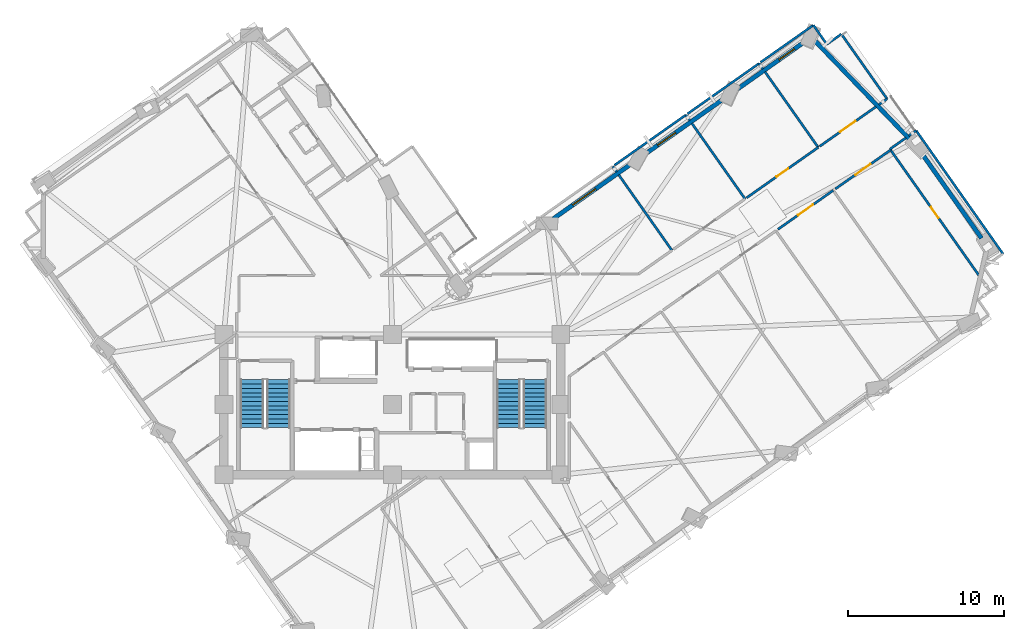
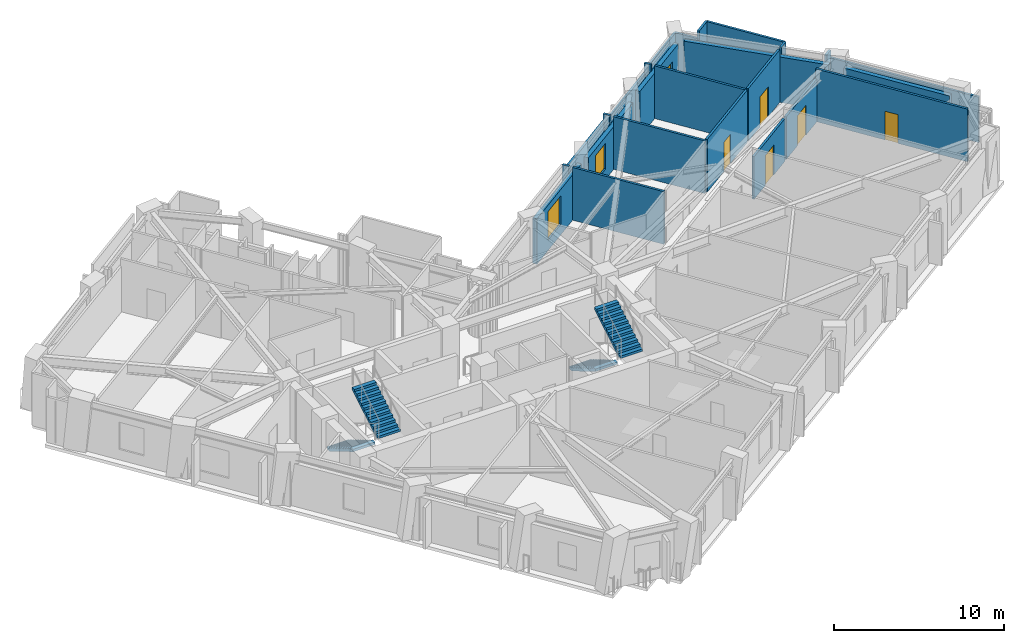
# One storey, part 8 of 13: 26 walls, 5 doors, 4 stair flights, 3 windows, 8 openings, 2 elements without a shape of their own.
"""IFC4 building model written with IfcOpenShell, lengths in metres."""

from ifc_helpers import new_model, si_unit, direction, frame, frame_2d, origin, place, context, subcontext, project, spatial, polyline, rectangle, outline, extrude, material, layer, layer_set, type_object, element, fill, aggregate, save


model = new_model("IFC4")

# Units and contexts
model_context = context("Model", 3, precision=1e-05, world=origin(), true_north=direction((0.0, 1.0)))
body_context = subcontext(model_context, "Body", "Model", "MODEL_VIEW")
ifc_project = project(units=[si_unit("LENGTHUNIT", "METRE"), si_unit("AREAUNIT", "SQUARE_METRE"), si_unit("VOLUMEUNIT", "CUBIC_METRE"), si_unit("PLANEANGLEUNIT", "RADIAN"), si_unit("MASSUNIT", "GRAM", prefix="KILO")], contexts=[model_context])

# Site, building, storey
site_placement = place(None, origin())
site = spatial("IfcSite", under=ifc_project, at=site_placement, CompositionType="ELEMENT")
building_placement = place(site_placement, origin())
building = spatial("IfcBuilding", under=site, at=building_placement, Name="Gaonmaruhae Medical Tower", CompositionType="ELEMENT")
storey_placement = place(building_placement, frame((0.0, 0.0, 173.800048828125)))
storey = spatial("IfcBuildingStorey", under=building, at=storey_placement, Name="L41", CompositionType="ELEMENT", Elevation=173.800048828125)

# Walls
ifc_material_1 = material(Name="Precast concrete C45/55", Category="concrete")
ifc_layer_1 = layer(ifc_material_1, 0.280029296875)
ifc_layer_set_1 = layer_set([ifc_layer_1], Name="Precast concrete C45/55")
wall_type_1 = type_object("IfcWallType", Name="EW-280 Upper Precast Masonry-Frame Facade Wall", PredefinedType="SOLIDWALL", material=ifc_layer_set_1)
wall_1_placement = place(storey_placement, frame((58.65380859375, 28.560302734375, 0.0), z_axis=(0.0, 0.0, 1.0), x_axis=(0.575721488914, -0.817645869067, 0.0)))
element("IfcWall", 1, at=wall_1_placement, inside=storey, type_object=wall_type_1, Name="L41 Precast Masonry-Frame Wall E01-E02", PredefinedType="SOLIDWALL", context=body_context, shape_type="SweptSolid", body=[
    extrude(rectangle(XDim=6.840087890625, YDim=0.280029296875, at=frame_2d((3.419921875, 0.0))), origin(), (0.0, 0.0, 1.0), 3.264892578125),
])
wall_2_placement = place(storey_placement, frame((51.89453125, 35.639892578125, 0.0), z_axis=(0.0, 0.0, 1.0), x_axis=(0.693919284299, -0.720052794508, 0.0)))
element("IfcWall", 2, at=wall_2_placement, inside=storey, type_object=wall_type_1, Name="L41 Precast Masonry-Frame Wall E02-E03", PredefinedType="SOLIDWALL", context=body_context, shape_type="SweptSolid", body=[
    extrude(rectangle(XDim=8.837646484375, YDim=0.280029296875, at=frame_2d((4.4189453125, 0.0))), origin(), (0.0, 0.0, 1.0), 3.264892578125),
])

# Wall, opening, window
wall_3_placement = place(storey_placement, frame((46.8798828125, 32.49951171875, 0.0), z_axis=(0.0, 0.0, 1.0), x_axis=(0.817637087574, 0.575733960283, 0.0)))
wall_3 = element("IfcWall", 3, at=wall_3_placement, inside=storey, type_object=wall_type_1, Name="L41 Precast Masonry-Frame Wall E03-EN01", PredefinedType="SOLIDWALL", context=body_context, shape_type="SweptSolid", body=[
    extrude(rectangle(XDim=5.404541015625, YDim=0.280029296875, at=frame_2d((2.7021484375, 0.0))), origin(), (0.0, 0.0, 1.0), 3.264892578125),
])
opening_1_placement = place(wall_3_placement, frame((3.333740234375, 0.0, 0.75)))
opening_1 = element("IfcOpeningElement", 4, at=opening_1_placement, cuts=wall_3, Name="Opening WN-05", PredefinedType="OPENING", context=body_context, shape_type="SweptSolid", body=[
    extrude(rectangle(XDim=1.199951171875, YDim=1.75, at=frame_2d((0.60009765625, 0.875))), frame((0.0, 0.14990234375, 0.0), z_axis=(0.0, -1.0, 0.0), x_axis=(1.0, 0.0, 0.0)), (0.0, 0.0, 1.0), 0.300048828125),
])
ifc_material_2 = material(Name="Anodised aluminium and Low-E double glazing", Category="aluminium")
window_type_1 = type_object("IfcWindowType", Name="WN-05 Support & Staff Punched Window 1200x1750", PartitioningType="SINGLE_PANEL", PredefinedType="WINDOW", material=ifc_material_2)
window_1_placement = place(opening_1_placement, origin())
window_1 = element("IfcWindow", 5, at=window_1_placement, inside=storey, type_object=window_type_1, Name="L41 Modular Facade Window E03", OverallHeight=1.75, OverallWidth=1.199951171875, PartitioningType="SINGLE_PANEL", PredefinedType="WINDOW", context=body_context, shape_type="SweptSolid", body=[
    extrude(rectangle(XDim=1.199951171875, YDim=1.75, at=frame_2d((0.60009765625, 0.875))), frame((0.0, 0.030029296875, 0.0), z_axis=(0.0, -1.0, 0.0), x_axis=(1.0, 0.0, 0.0)), (0.0, 0.0, 1.0), 0.06005859375),
])
fill(opening_1, window_1)

wall_4_placement = place(storey_placement, frame((41.00244140625, 28.361083984375, 0.0), z_axis=(0.0, 0.0, 1.0), x_axis=(0.817646454024, 0.575720658151, 0.0)))
wall_4 = element("IfcWall", 6, at=wall_4_placement, inside=storey, type_object=wall_type_1, Name="L41 Precast Masonry-Frame Wall EN01-EN02", PredefinedType="SOLIDWALL", context=body_context, shape_type="SweptSolid", body=[
    extrude(rectangle(XDim=6.2265625, YDim=0.280029296875, at=frame_2d((3.11328125, 0.0))), origin(), (0.0, 0.0, 1.0), 3.06494140625),
])
opening_2_placement = place(wall_4_placement, frame((0.995849609375, 0.0, 0.75)))
opening_2 = element("IfcOpeningElement", 7, at=opening_2_placement, cuts=wall_4, Name="Opening WN-03", PredefinedType="OPENING", context=body_context, shape_type="SweptSolid", body=[
    extrude(rectangle(XDim=1.39990234375, YDim=1.85009765625, at=frame_2d((0.699951171875, 0.925048828125))), frame((0.0, 0.14990234375, 0.0), z_axis=(0.0, -1.0, 0.0), x_axis=(1.0, 0.0, 0.0)), (0.0, 0.0, 1.0), 0.300048828125),
])
window_type_2 = type_object("IfcWindowType", Name="WN-03 Isolation Ward Punched Window 1400x1850", PartitioningType="SINGLE_PANEL", PredefinedType="WINDOW", material=ifc_material_2)
window_2_placement = place(opening_2_placement, origin())
window_2 = element("IfcWindow", 8, at=window_2_placement, inside=storey, type_object=window_type_2, Name="L41 Modular Facade Window EN01", OverallHeight=1.85009765625, OverallWidth=1.39990234375, PartitioningType="SINGLE_PANEL", PredefinedType="WINDOW", context=body_context, shape_type="SweptSolid", body=[
    extrude(rectangle(XDim=1.39990234375, YDim=1.85009765625, at=frame_2d((0.699951171875, 0.925048828125))), frame((0.0, 0.030029296875, 0.0), z_axis=(0.0, -1.0, 0.0), x_axis=(1.0, 0.0, 0.0)), (0.0, 0.0, 1.0), 0.06005859375),
])
fill(opening_2, window_2)

wall_5_placement = place(storey_placement, frame((35.119140625, 24.218505859375, 0.0), z_axis=(0.0, 0.0, 1.0), x_axis=(0.817635088969, 0.575736798622, 0.0)))
wall_5 = element("IfcWall", 9, at=wall_5_placement, inside=storey, type_object=wall_type_1, Name="L41 Precast Masonry-Frame Wall EN02-EN03", PredefinedType="SOLIDWALL", context=body_context, shape_type="SweptSolid", body=[
    extrude(rectangle(XDim=6.2109375, YDim=0.280029296875, at=frame_2d((3.10546875, 0.0))), origin(), (0.0, 0.0, 1.0), 3.264892578125),
])
opening_3_placement = place(wall_5_placement, frame((1.523681640625, 0.0, 0.75)))
opening_3 = element("IfcOpeningElement", 10, at=opening_3_placement, cuts=wall_5, Name="Opening WN-04", PredefinedType="OPENING", context=body_context, shape_type="SweptSolid", body=[
    extrude(rectangle(XDim=1.800048828125, YDim=2.050048828125, at=frame_2d((0.89990234375, 1.02490234375))), frame((0.0, 0.14990234375, 0.0), z_axis=(0.0, -1.0, 0.0), x_axis=(1.0, 0.0, 0.0)), (0.0, 0.0, 1.0), 0.300048828125),
])
window_type_3 = type_object("IfcWindowType", Name="WN-04 Clinic & Consult Punched Window 1800x2050", PartitioningType="SINGLE_PANEL", PredefinedType="WINDOW", material=ifc_material_2)
window_3_placement = place(opening_3_placement, origin())
window_3 = element("IfcWindow", 11, at=window_3_placement, inside=storey, type_object=window_type_3, Name="L41 Modular Facade Window EN02", OverallHeight=2.050048828125, OverallWidth=1.800048828125, PartitioningType="SINGLE_PANEL", PredefinedType="WINDOW", context=body_context, shape_type="SweptSolid", body=[
    extrude(rectangle(XDim=1.800048828125, YDim=2.050048828125, at=frame_2d((0.89990234375, 1.02490234375))), frame((0.0, 0.030029296875, 0.0), z_axis=(0.0, -1.0, 0.0), x_axis=(1.0, 0.0, 0.0)), (0.0, 0.0, 1.0), 0.06005859375),
])
fill(opening_3, window_3)

# Wall, opening, door
ifc_material_3 = material(Name="Gypsum board partition", Category="gypsum")
ifc_layer_2 = layer(ifc_material_3, 0.14990234375)
ifc_layer_set_2 = layer_set([ifc_layer_2], Name="Gypsum board partition")
wall_type_2 = type_object("IfcWallType", Name="PW-150 Rated Clinical Corridor Partition", PredefinedType="PARTITIONING", material=ifc_layer_set_2)
wall_6_placement = place(storey_placement, frame((49.529052734375, 23.541015625, 0.0), z_axis=(0.0, 0.0, 1.0), x_axis=(0.81762204879, 0.575755317241, 0.0)))
wall_6 = element("IfcWall", 12, at=wall_6_placement, inside=storey, type_object=wall_type_2, Name="L41 Interior Partition L41-SUP10-29", PredefinedType="PARTITIONING", context=body_context, shape_type="SweptSolid", body=[
    extrude(rectangle(XDim=4.34033203125, YDim=0.14990234375, at=frame_2d((2.170166015625, 0.0))), origin(), (0.0, 0.0, 1.0), 3.06494140625),
])
opening_4_placement = place(wall_6_placement, frame((1.5703125, 0.0, 0.0)))
opening_4 = element("IfcOpeningElement", 13, at=opening_4_placement, cuts=wall_6, Name="Opening CD-02", PredefinedType="OPENING", context=body_context, shape_type="SweptSolid", body=[
    extrude(rectangle(XDim=1.199951171875, YDim=2.14990234375, at=frame_2d((0.60009765625, 1.074951171875))), frame((0.0, 0.0849609375, 0.0), z_axis=(0.0, -1.0, 0.0), x_axis=(1.0, 0.0, 0.0)), (0.0, 0.0, 1.0), 0.169921875),
])
ifc_material_4 = material(Name="Antimicrobial laminate timber fire door", Category="wood")
door_type_1 = type_object("IfcDoorType", Name="CD-02 Clinical Treatment & Procedure Door 1200x2150", OperationType="NOTDEFINED", PredefinedType="DOOR", material=ifc_material_4)
door_1_placement = place(opening_4_placement, origin())
door_1 = element("IfcDoor", 14, at=door_1_placement, inside=storey, type_object=door_type_1, Name="L41 Clinical Biomedical Charting Office Door", OperationType="SINGLE_SWING_RIGHT", OverallHeight=2.14990234375, OverallWidth=1.199951171875, PredefinedType="DOOR", context=body_context, shape_type="SweptSolid", body=[
    extrude(rectangle(XDim=1.199951171875, YDim=2.14990234375, at=frame_2d((0.60009765625, 1.074951171875))), frame((0.0, 0.02490234375, 0.0), z_axis=(0.0, -1.0, 0.0), x_axis=(1.0, 0.0, 0.0)), (0.0, 0.0, 1.0), 0.050048828125),
])
fill(opening_4, door_1)

wall_7_placement = place(storey_placement, frame((53.208984375, 26.132080078125, 0.0), z_axis=(0.0, 0.0, 1.0), x_axis=(0.817566099481, 0.575834761872, 0.0)))
wall_7 = element("IfcWall", 15, at=wall_7_placement, inside=storey, type_object=wall_type_2, Name="L41 Interior Partition L41-SUP11-32", PredefinedType="PARTITIONING", context=body_context, shape_type="SweptSolid", body=[
    extrude(rectangle(XDim=4.33984375, YDim=0.14990234375, at=frame_2d((2.169921875, 0.0))), origin(), (0.0, 0.0, 1.0), 3.06494140625),
])
opening_5_placement = place(wall_7_placement, frame((1.56982421875, 0.0, 0.0)))
opening_5 = element("IfcOpeningElement", 16, at=opening_5_placement, cuts=wall_7, Name="Opening CD-02", PredefinedType="OPENING", context=body_context, shape_type="SweptSolid", body=[
    extrude(rectangle(XDim=1.199951171875, YDim=2.14990234375, at=frame_2d((0.60009765625, 1.074951171875))), frame((0.0, 0.0849609375, 0.0), z_axis=(0.0, -1.0, 0.0), x_axis=(1.0, 0.0, 0.0)), (0.0, 0.0, 1.0), 0.169921875),
])
door_2_placement = place(opening_5_placement, origin())
door_2 = element("IfcDoor", 17, at=door_2_placement, inside=storey, type_object=door_type_1, Name="L41 Clinical Biomedical Charting Office Door", OperationType="SINGLE_SWING_RIGHT", OverallHeight=2.14990234375, OverallWidth=1.199951171875, PredefinedType="DOOR", context=body_context, shape_type="SweptSolid", body=[
    extrude(rectangle(XDim=1.199951171875, YDim=2.14990234375, at=frame_2d((0.60009765625, 1.074951171875))), frame((0.0, 0.02490234375, 0.0), z_axis=(0.0, -1.0, 0.0), x_axis=(1.0, 0.0, 0.0)), (0.0, 0.0, 1.0), 0.050048828125),
])
fill(opening_5, door_2)

wall_8_placement = place(storey_placement, frame((56.757080078125, 28.631103515625, 0.0), z_axis=(0.0, 0.0, 1.0), x_axis=(0.575730217861, -0.817639722764, 0.0)))
wall_8 = element("IfcWall", 18, at=wall_8_placement, inside=storey, type_object=wall_type_2, Name="L41 Interior Partition L41-SUP11-33", PredefinedType="PARTITIONING", context=body_context, shape_type="SweptSolid", body=[
    extrude(rectangle(XDim=9.830810546875, YDim=0.14990234375, at=frame_2d((4.91552734375, 0.0))), origin(), (0.0, 0.0, 1.0), 3.780029296875),
])
opening_6_placement = place(wall_8_placement, frame((4.4853515625, 0.0, 0.0)))
opening_6 = element("IfcOpeningElement", 19, at=opening_6_placement, cuts=wall_8, Name="Opening AD-01", PredefinedType="OPENING", context=body_context, shape_type="SweptSolid", body=[
    extrude(rectangle(XDim=0.860107421875, YDim=2.06005859375, at=frame_2d((0.43017578125, 1.030029296875))), frame((0.0, 0.0849609375, 0.0), z_axis=(0.0, -1.0, 0.0), x_axis=(1.0, 0.0, 0.0)), (0.0, 0.0, 1.0), 0.169921875),
])
ifc_material_5 = material(Name="Powder-coated steel access door", Category="steel")
door_type_2 = type_object("IfcDoorType", Name="AD-01 Riser & Closet Access Fire Door 860x2060", OperationType="NOTDEFINED", PredefinedType="DOOR", material=ifc_material_5)
door_3_placement = place(opening_6_placement, origin())
door_3 = element("IfcDoor", 20, at=door_3_placement, inside=storey, type_object=door_type_2, Name="L41 Clinical Case Review Office Sliding Door", OperationType="SLIDING_TO_LEFT", OverallHeight=2.06005859375, OverallWidth=0.860107421875, PredefinedType="DOOR", context=body_context, shape_type="SweptSolid", body=[
    extrude(rectangle(XDim=0.860107421875, YDim=2.06005859375, at=frame_2d((0.43017578125, 1.030029296875))), frame((0.0, 0.02490234375, 0.0), z_axis=(0.0, -1.0, 0.0), x_axis=(1.0, 0.0, 0.0)), (0.0, 0.0, 1.0), 0.050048828125),
])
fill(opening_6, door_3)

# Walls
wall_9_placement = place(storey_placement, frame((38.93798828125, 27.580078125, 0.0), z_axis=(0.0, 0.0, 1.0), x_axis=(0.574742398175, -0.818334391151, 0.0)))
element("IfcWall", 21, at=wall_9_placement, inside=storey, type_object=wall_type_2, Name="L41 Interior Partition L41-IE03-78", PredefinedType="PARTITIONING", context=body_context, shape_type="SweptSolid", body=[
    extrude(rectangle(XDim=0.43505859375, YDim=0.14990234375, at=frame_2d((0.217529296875, 0.0))), origin(), (0.0, 0.0, 1.0), 3.780029296875),
])
wall_10_placement = place(storey_placement, frame((39.321044921875, 27.035888671875, 0.0), z_axis=(0.0, 0.0, 1.0), x_axis=(0.575736327122, -0.817635420974, 0.0)))
element("IfcWall", 22, at=wall_10_placement, inside=storey, type_object=wall_type_2, Name="L41 Interior Partition L41-IE03-79", PredefinedType="PARTITIONING", context=body_context, shape_type="SweptSolid", body=[
    extrude(rectangle(XDim=5.92431640625, YDim=0.14990234375, at=frame_2d((2.962158203125, 0.0))), origin(), (0.0, 0.0, 1.0), 3.780029296875),
])
wall_11_placement = place(storey_placement, frame((39.035888671875, 27.64892578125, 0.0), z_axis=(0.0, 0.0, 1.0), x_axis=(0.817638200952, 0.5757323791, 0.0)))
element("IfcWall", 23, at=wall_11_placement, inside=storey, type_object=wall_type_2, Name="L41 Interior Partition L41-IE04-83", PredefinedType="PARTITIONING", context=body_context, shape_type="SweptSolid", body=[
    extrude(rectangle(XDim=5.617431640625, YDim=0.14990234375, at=frame_2d((2.80859375, 0.0))), origin(), (0.0, 0.0, 1.0), 3.264892578125),
])
wall_12_placement = place(storey_placement, frame((43.62890625, 30.883056640625, 0.0), z_axis=(0.0, 0.0, 1.0), x_axis=(0.574742398175, -0.818334391151, 0.0)))
element("IfcWall", 24, at=wall_12_placement, inside=storey, type_object=wall_type_2, Name="L41 Interior Partition L41-IE04-84", PredefinedType="PARTITIONING", context=body_context, shape_type="SweptSolid", body=[
    extrude(rectangle(XDim=0.43505859375, YDim=0.14990234375, at=frame_2d((0.217529296875, 0.0))), origin(), (0.0, 0.0, 1.0), 3.780029296875),
])
wall_13_placement = place(storey_placement, frame((44.011962890625, 30.339111328125, 0.0), z_axis=(0.0, 0.0, 1.0), x_axis=(0.575763875757, -0.817616021965, 0.0)))
element("IfcWall", 25, at=wall_13_placement, inside=storey, type_object=wall_type_2, Name="L41 Interior Partition L41-IE04-85", PredefinedType="PARTITIONING", context=body_context, shape_type="SweptSolid", body=[
    extrude(rectangle(XDim=5.924560546875, YDim=0.14990234375, at=frame_2d((2.96240234375, 0.0))), origin(), (0.0, 0.0, 1.0), 3.780029296875),
])

# Wall, opening, door
wall_14_placement = place(storey_placement, frame((52.114013671875, 28.798095703125, 0.0), z_axis=(0.0, 0.0, 1.0), x_axis=(-0.817638200952, -0.5757323791, 0.0)))
wall_14 = element("IfcWall", 26, at=wall_14_placement, inside=storey, type_object=wall_type_2, Name="L41 Interior Partition L41-IE05-86", PredefinedType="PARTITIONING", context=body_context, shape_type="SweptSolid", body=[
    extrude(rectangle(XDim=5.617431640625, YDim=0.14990234375, at=frame_2d((2.80859375, 0.0))), origin(), (0.0, 0.0, 1.0), 3.780029296875),
])
opening_7_placement = place(wall_14_placement, frame((2.3486328125, 0.0, 0.0)))
opening_7 = element("IfcOpeningElement", 27, at=opening_7_placement, cuts=wall_14, Name="Opening UD-01", PredefinedType="OPENING", context=body_context, shape_type="SweptSolid", body=[
    extrude(rectangle(XDim=0.919921875, YDim=2.10009765625, at=frame_2d((0.4599609375, 1.050048828125))), frame((0.0, 0.0849609375, 0.0), z_axis=(0.0, -1.0, 0.0), x_axis=(1.0, 0.0, 0.0)), (0.0, 0.0, 1.0), 0.169921875),
])
ifc_material_6 = material(Name="Powder-coated steel utility door", Category="steel")
door_type_3 = type_object("IfcDoorType", Name="UD-01 Toilet, Utility & Housekeeping Door 920x2100", OperationType="NOTDEFINED", PredefinedType="DOOR", material=ifc_material_6)
door_4_placement = place(opening_7_placement, origin())
door_4 = element("IfcDoor", 28, at=door_4_placement, inside=storey, type_object=door_type_3, Name="L41 Ward Housekeeping and Linen Store Door", OperationType="SINGLE_SWING_LEFT", OverallHeight=2.10009765625, OverallWidth=0.919921875, PredefinedType="DOOR", context=body_context, shape_type="SweptSolid", body=[
    extrude(rectangle(XDim=0.919921875, YDim=2.10009765625, at=frame_2d((0.4599609375, 1.050048828125))), frame((0.0, 0.02490234375, 0.0), z_axis=(0.0, -1.0, 0.0), x_axis=(1.0, 0.0, 0.0)), (0.0, 0.0, 1.0), 0.050048828125),
])
fill(opening_7, door_4)

# Walls
wall_15_placement = place(storey_placement, frame((43.72705078125, 30.951904296875, 0.0), z_axis=(0.0, 0.0, 1.0), x_axis=(0.817638200952, 0.5757323791, 0.0)))
element("IfcWall", 29, at=wall_15_placement, inside=storey, type_object=wall_type_2, Name="L41 Interior Partition L41-IE05-87", PredefinedType="PARTITIONING", context=body_context, shape_type="SweptSolid", body=[
    extrude(rectangle(XDim=5.617431640625, YDim=0.14990234375, at=frame_2d((2.80859375, 0.0))), origin(), (0.0, 0.0, 1.0), 3.06494140625),
])
wall_16_placement = place(storey_placement, frame((48.320068359375, 34.18603515625, 0.0), z_axis=(0.0, 0.0, 1.0), x_axis=(0.574742398175, -0.818334391151, 0.0)))
element("IfcWall", 30, at=wall_16_placement, inside=storey, type_object=wall_type_2, Name="L41 Interior Partition L41-IE05-88", PredefinedType="PARTITIONING", context=body_context, shape_type="SweptSolid", body=[
    extrude(rectangle(XDim=0.43505859375, YDim=0.14990234375, at=frame_2d((0.217529296875, 0.0))), origin(), (0.0, 0.0, 1.0), 3.780029296875),
])
wall_17_placement = place(storey_placement, frame((48.702880859375, 33.64208984375, 0.0), z_axis=(0.0, 0.0, 1.0), x_axis=(0.575763875757, -0.817616021965, 0.0)))
element("IfcWall", 31, at=wall_17_placement, inside=storey, type_object=wall_type_2, Name="L41 Interior Partition L41-IE05-89", PredefinedType="PARTITIONING", context=body_context, shape_type="SweptSolid", body=[
    extrude(rectangle(XDim=5.924560546875, YDim=0.14990234375, at=frame_2d((2.96240234375, 0.0))), origin(), (0.0, 0.0, 1.0), 3.780029296875),
])
wall_18_placement = place(storey_placement, frame((52.6669921875, 35.4130859375, 0.0), z_axis=(0.0, 0.0, 1.0), x_axis=(0.817780283256, 0.575530545078, 0.0)))
element("IfcWall", 32, at=wall_18_placement, inside=storey, type_object=wall_type_2, Name="L41 Interior Partition L41-IE06-90", PredefinedType="PARTITIONING", context=body_context, shape_type="SweptSolid", body=[
    extrude(rectangle(XDim=1.139892578125, YDim=0.14990234375, at=frame_2d((0.56982421875, 0.0))), origin(), (0.0, 0.0, 1.0), 3.780029296875),
])
wall_19_placement = place(storey_placement, frame((53.59912109375, 36.069091796875, 0.0), z_axis=(0.0, 0.0, 1.0), x_axis=(0.575758299288, -0.817619948877, 0.0)))
element("IfcWall", 33, at=wall_19_placement, inside=storey, type_object=wall_type_2, Name="L41 Interior Partition L41-IE06-91", PredefinedType="PARTITIONING", context=body_context, shape_type="SweptSolid", body=[
    extrude(rectangle(XDim=5.090576171875, YDim=0.14990234375, at=frame_2d((2.54541015625, 0.0))), origin(), (0.0, 0.0, 1.0), 3.780029296875),
])
wall_20_placement = place(storey_placement, frame((56.530029296875, 31.906982421875, 0.0), z_axis=(0.0, 0.0, 1.0), x_axis=(-0.817866315649, -0.575408280898, 0.0)))
element("IfcWall", 34, at=wall_20_placement, inside=storey, type_object=wall_type_2, Name="L41 Interior Partition L41-IE06-92", PredefinedType="PARTITIONING", context=body_context, shape_type="SweptSolid", body=[
    extrude(rectangle(XDim=0.639404296875, YDim=0.14990234375, at=frame_2d((0.31982421875, 0.0))), origin(), (0.0, 0.0, 1.0), 3.780029296875),
])

# Wall, opening, door
wall_21_placement = place(storey_placement, frame((55.81591796875, 31.405029296875, 0.0), z_axis=(0.0, 0.0, 1.0), x_axis=(-0.817599763691, -0.575786962697, 0.0)))
wall_21 = element("IfcWall", 35, at=wall_21_placement, inside=storey, type_object=wall_type_2, Name="L41 Interior Partition L41-IE06-93", PredefinedType="PARTITIONING", context=body_context, shape_type="SweptSolid", body=[
    extrude(rectangle(XDim=4.407958984375, YDim=0.14990234375, at=frame_2d((2.2041015625, 0.0))), origin(), (0.0, 0.0, 1.0), 3.780029296875),
])
opening_8_placement = place(wall_21_placement, frame((1.60400390625, 0.0, 0.0)))
opening_8 = element("IfcOpeningElement", 36, at=opening_8_placement, cuts=wall_21, Name="Opening CD-02", PredefinedType="OPENING", context=body_context, shape_type="SweptSolid", body=[
    extrude(rectangle(XDim=1.199951171875, YDim=2.14990234375, at=frame_2d((0.60009765625, 1.074951171875))), frame((0.0, 0.0849609375, 0.0), z_axis=(0.0, -1.0, 0.0), x_axis=(1.0, 0.0, 0.0)), (0.0, 0.0, 1.0), 0.169921875),
])
door_5_placement = place(opening_8_placement, origin())
door_5 = element("IfcDoor", 37, at=door_5_placement, inside=storey, type_object=door_type_1, Name="L41 Multidisciplinary Clinical Consultation Room Door", OperationType="SINGLE_SWING_LEFT", OverallHeight=2.14990234375, OverallWidth=1.199951171875, PredefinedType="DOOR", context=body_context, shape_type="SweptSolid", body=[
    extrude(rectangle(XDim=1.199951171875, YDim=2.14990234375, at=frame_2d((0.60009765625, 1.074951171875))), frame((0.0, 0.02490234375, 0.0), z_axis=(0.0, -1.0, 0.0), x_axis=(1.0, 0.0, 0.0)), (0.0, 0.0, 1.0), 0.050048828125),
])
fill(opening_8, door_5)

# Walls
wall_22_placement = place(storey_placement, frame((48.41796875, 34.256103515625, 0.0), z_axis=(0.0, 0.0, 1.0), x_axis=(0.817797168592, 0.575506551695, 0.0)))
element("IfcWall", 38, at=wall_22_placement, inside=storey, type_object=wall_type_2, Name="L41 Interior Partition L41-IE06-94", PredefinedType="PARTITIONING", context=body_context, shape_type="SweptSolid", body=[
    extrude(rectangle(XDim=4.140380859375, YDim=0.14990234375, at=frame_2d((2.0703125, 0.0))), origin(), (0.0, 0.0, 1.0), 3.264892578125),
])
wall_23_placement = place(storey_placement, frame((51.803955078125, 36.638916015625, 0.0), z_axis=(0.0, 0.0, 1.0), x_axis=(0.575678952073, -0.817675818488, 0.0)))
element("IfcWall", 39, at=wall_23_placement, inside=storey, type_object=wall_type_2, Name="L41 Interior Partition L41-IE06-95", PredefinedType="PARTITIONING", context=body_context, shape_type="SweptSolid", body=[
    extrude(rectangle(XDim=1.499267578125, YDim=0.14990234375, at=frame_2d((0.74951171875, 0.0))), origin(), (0.0, 0.0, 1.0), 3.264892578125),
])
wall_24_placement = place(storey_placement, frame((56.717041015625, 28.68798828125, 0.0), z_axis=(0.0, 0.0, 1.0), x_axis=(0.817394747744, 0.576077968995, 0.0)))
element("IfcWall", 40, at=wall_24_placement, inside=storey, type_object=wall_type_2, Name="L41 Interior Partition L41-RM05-122", PredefinedType="PARTITIONING", context=body_context, shape_type="SweptSolid", body=[
    extrude(rectangle(XDim=1.25146484375, YDim=0.14990234375, at=frame_2d((0.625732421875, 0.0))), origin(), (0.0, 0.0, 1.0), 3.06494140625),
])
wall_25_placement = place(storey_placement, frame((57.929931640625, 29.54296875, 0.0), z_axis=(0.0, 0.0, 1.0), x_axis=(0.818094628875, 0.575083627141, 0.0)))
element("IfcWall", 41, at=wall_25_placement, inside=storey, type_object=wall_type_2, Name="L41 Interior Partition L41-RM05-123", PredefinedType="PARTITIONING", context=body_context, shape_type="SweptSolid", body=[
    extrude(rectangle(XDim=0.57568359375, YDim=0.14990234375, at=frame_2d((0.287841796875, 0.0))), origin(), (0.0, 0.0, 1.0), 3.780029296875),
])
wall_26_placement = place(storey_placement, frame((58.40087890625, 29.8740234375, 0.0), z_axis=(0.0, 0.0, 1.0), x_axis=(0.575766021758, -0.81761451075, 0.0)))
element("IfcWall", 42, at=wall_26_placement, inside=storey, type_object=wall_type_2, Name="L41 Interior Partition L41-RM05-124", PredefinedType="PARTITIONING", context=body_context, shape_type="SweptSolid", body=[
    extrude(rectangle(XDim=9.6708984375, YDim=0.14990234375, at=frame_2d((4.83544921875, 0.0))), origin(), (0.0, 0.0, 1.0), 3.264892578125),
])

# Stair, stair flights
ifc_material_7 = material(Name="Concrete C40/50", Category="concrete")
stair_type = type_object("IfcStairType", Name="ST-T1 Primary Core Escape Dogleg Stair", PredefinedType="TWO_QUARTER_TURN_STAIR", material=ifc_material_7)
stair_1_placement = place(storey_placement, origin())
stair_1 = element("IfcStair", 43, at=stair_1_placement, inside=storey, type_object=stair_type, Name="L41 Protected Escape Stair ST-01", PredefinedType="TWO_QUARTER_TURN_STAIR")
stair_flight_type = type_object("IfcStairFlightType", Name="SF-T1 Primary Core Precast Stair Flight", PredefinedType="STRAIGHT", material=ifc_material_7)
stair_flight_1_placement = place(storey_placement, frame((15.800048828125, 13.89990234375, 0.0), z_axis=(0.0, 0.0, 1.0), x_axis=(0.0, -1.0, 0.0)))
stair_flight_1 = element("IfcStairFlight", 44, at=stair_flight_1_placement, type_object=stair_flight_type, Name="ST-01 flight 1", NumberOfRisers=12, NumberOfTreads=11, PredefinedType="STRAIGHT", RiserHeight=0.166666667, TreadLength=0.28, context=body_context, shape_type="SweptSolid", body=[
    extrude(outline(polyline([(0.0, 0.0), (0.0, 0.166748046875), (0.280029296875, 0.166748046875), (0.280029296875, 0.333251953125), (0.56005859375, 0.333251953125), (0.56005859375, 0.5), (0.840087890625, 0.5), (0.840087890625, 0.666748046875), (1.1201171875, 0.666748046875), (1.1201171875, 0.833251953125), (1.39990234375, 0.833251953125), (1.39990234375, 1.0), (1.679931640625, 1.0), (1.679931640625, 1.166748046875), (1.9599609375, 1.166748046875), (1.9599609375, 1.333251953125), (2.239990234375, 1.333251953125), (2.239990234375, 1.5), (2.52001953125, 1.5), (2.52001953125, 1.666748046875), (2.800048828125, 1.666748046875), (2.800048828125, 1.833251953125), (3.080078125, 1.833251953125), (3.080078125, 2.0), (3.080078125, 1.658935546875), (0.29296875, 0.0), (0.0, 0.0)])), frame((0.0, 0.75, 0.0), z_axis=(0.0, -1.0, 0.0), x_axis=(1.0, 0.0, 0.0)), (0.0, 0.0, 1.0), 1.5),
])
stair_flight_2_placement = place(storey_placement, frame((17.5, 10.820068359375, 2.0), z_axis=(0.0, 0.0, 1.0), x_axis=(0.0, 1.0, 0.0)))
stair_flight_2 = element("IfcStairFlight", 45, at=stair_flight_2_placement, type_object=stair_flight_type, Name="ST-01 flight 2", NumberOfRisers=12, NumberOfTreads=11, PredefinedType="STRAIGHT", RiserHeight=0.166666667, TreadLength=0.28, context=body_context, shape_type="SweptSolid", body=[
    extrude(outline(polyline([(0.0, 0.0), (0.0, 0.166748046875), (0.280029296875, 0.166748046875), (0.280029296875, 0.333251953125), (0.56005859375, 0.333251953125), (0.56005859375, 0.5), (0.840087890625, 0.5), (0.840087890625, 0.666748046875), (1.1201171875, 0.666748046875), (1.1201171875, 0.833251953125), (1.39990234375, 0.833251953125), (1.39990234375, 1.0), (1.679931640625, 1.0), (1.679931640625, 1.166748046875), (1.9599609375, 1.166748046875), (1.9599609375, 1.333251953125), (2.239990234375, 1.333251953125), (2.239990234375, 1.5), (2.52001953125, 1.5), (2.52001953125, 1.666748046875), (2.800048828125, 1.666748046875), (2.800048828125, 1.833251953125), (3.080078125, 1.833251953125), (3.080078125, 2.0), (3.080078125, 1.658935546875), (0.29296875, 0.0), (0.0, 0.0)])), frame((0.0, 0.75, 0.0), z_axis=(0.0, -1.0, 0.0), x_axis=(1.0, 0.0, 0.0)), (0.0, 0.0, 1.0), 1.5),
])
aggregate(stair_1, [stair_flight_1, stair_flight_2])

stair_2_placement = place(storey_placement, origin())
stair_2 = element("IfcStair", 46, at=stair_2_placement, inside=storey, type_object=stair_type, Name="L41 Protected Escape Stair ST-02", PredefinedType="TWO_QUARTER_TURN_STAIR")
stair_flight_3_placement = place(storey_placement, frame((32.25, 13.89990234375, 0.0), z_axis=(0.0, 0.0, 1.0), x_axis=(0.0, -1.0, 0.0)))
stair_flight_3 = element("IfcStairFlight", 47, at=stair_flight_3_placement, type_object=stair_flight_type, Name="ST-02 flight 1", NumberOfRisers=12, NumberOfTreads=11, PredefinedType="STRAIGHT", RiserHeight=0.166666667, TreadLength=0.28, context=body_context, shape_type="SweptSolid", body=[
    extrude(outline(polyline([(0.0, 0.0), (0.0, 0.166748046875), (0.280029296875, 0.166748046875), (0.280029296875, 0.333251953125), (0.56005859375, 0.333251953125), (0.56005859375, 0.5), (0.840087890625, 0.5), (0.840087890625, 0.666748046875), (1.1201171875, 0.666748046875), (1.1201171875, 0.833251953125), (1.39990234375, 0.833251953125), (1.39990234375, 1.0), (1.679931640625, 1.0), (1.679931640625, 1.166748046875), (1.9599609375, 1.166748046875), (1.9599609375, 1.333251953125), (2.239990234375, 1.333251953125), (2.239990234375, 1.5), (2.52001953125, 1.5), (2.52001953125, 1.666748046875), (2.800048828125, 1.666748046875), (2.800048828125, 1.833251953125), (3.080078125, 1.833251953125), (3.080078125, 2.0), (3.080078125, 1.658935546875), (0.29296875, 0.0), (0.0, 0.0)])), frame((0.0, 0.75, 0.0), z_axis=(0.0, -1.0, 0.0), x_axis=(1.0, 0.0, 0.0)), (0.0, 0.0, 1.0), 1.5),
])
stair_flight_4_placement = place(storey_placement, frame((33.949951171875, 10.820068359375, 2.0), z_axis=(0.0, 0.0, 1.0), x_axis=(0.0, 1.0, 0.0)))
stair_flight_4 = element("IfcStairFlight", 48, at=stair_flight_4_placement, type_object=stair_flight_type, Name="ST-02 flight 2", NumberOfRisers=12, NumberOfTreads=11, PredefinedType="STRAIGHT", RiserHeight=0.166666667, TreadLength=0.28, context=body_context, shape_type="SweptSolid", body=[
    extrude(outline(polyline([(0.0, 0.0), (0.0, 0.166748046875), (0.280029296875, 0.166748046875), (0.280029296875, 0.333251953125), (0.56005859375, 0.333251953125), (0.56005859375, 0.5), (0.840087890625, 0.5), (0.840087890625, 0.666748046875), (1.1201171875, 0.666748046875), (1.1201171875, 0.833251953125), (1.39990234375, 0.833251953125), (1.39990234375, 1.0), (1.679931640625, 1.0), (1.679931640625, 1.166748046875), (1.9599609375, 1.166748046875), (1.9599609375, 1.333251953125), (2.239990234375, 1.333251953125), (2.239990234375, 1.5), (2.52001953125, 1.5), (2.52001953125, 1.666748046875), (2.800048828125, 1.666748046875), (2.800048828125, 1.833251953125), (3.080078125, 1.833251953125), (3.080078125, 2.0), (3.080078125, 1.658935546875), (0.29296875, 0.0), (0.0, 0.0)])), frame((0.0, 0.75, 0.0), z_axis=(0.0, -1.0, 0.0), x_axis=(1.0, 0.0, 0.0)), (0.0, 0.0, 1.0), 1.5),
])
aggregate(stair_2, [stair_flight_3, stair_flight_4])

save(model, "model.ifc")
